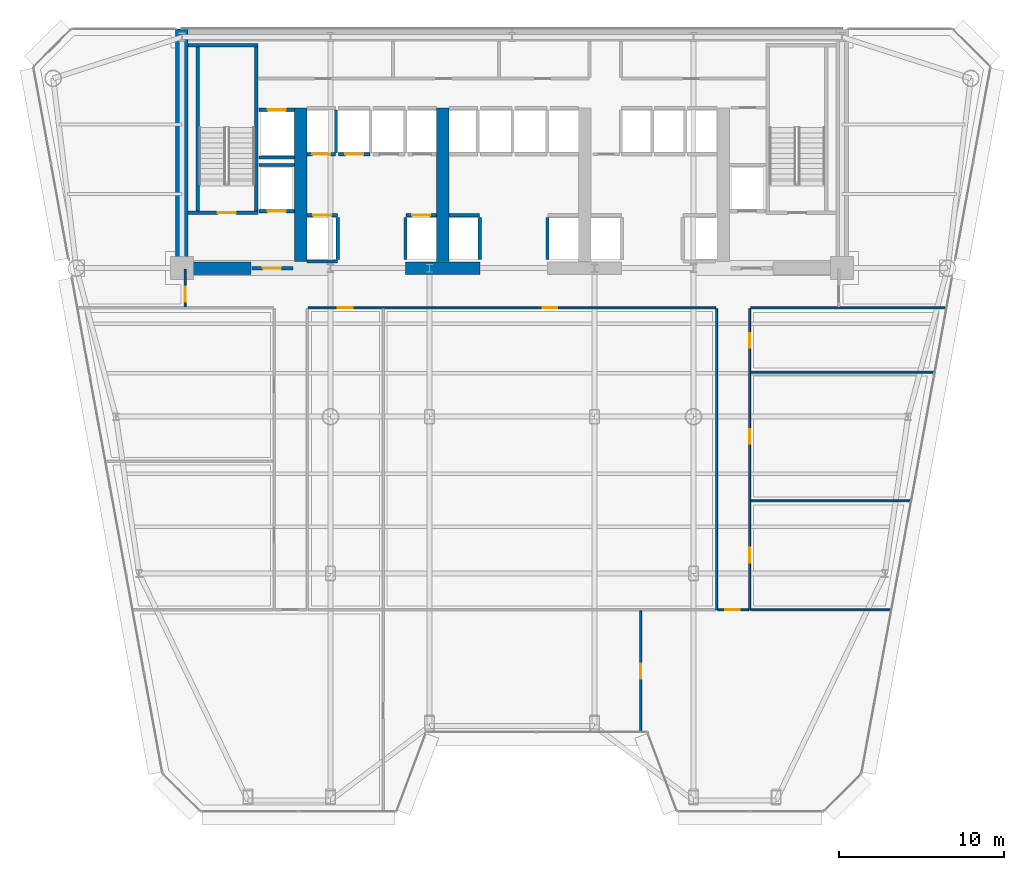
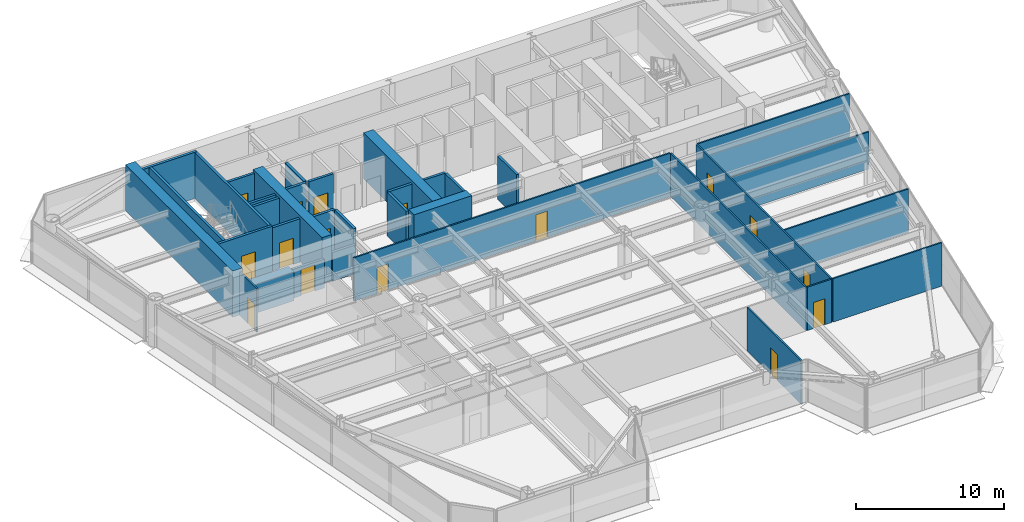
# One storey, part 8 of 14: 35 walls, 16 doors, 16 openings.
"""IFC4 building model written with IfcOpenShell, lengths in metres."""

from ifc_helpers import new_model, si_unit, direction, frame, frame_2d, origin, place, context, subcontext, project, spatial, rectangle, extrude, source, transform, mapped, material, layer, layer_set, type_object, element, fill, save


model = new_model("IFC4")

# Units and contexts
model_context = context("Model", 3, precision=1e-05, world=origin(), true_north=direction((0.0, 1.0)))
body_context = subcontext(model_context, "Body", "Model", "MODEL_VIEW")
ifc_project = project(units=[si_unit("LENGTHUNIT", "METRE"), si_unit("AREAUNIT", "SQUARE_METRE"), si_unit("VOLUMEUNIT", "CUBIC_METRE"), si_unit("PLANEANGLEUNIT", "RADIAN"), si_unit("MASSUNIT", "GRAM", prefix="KILO")], contexts=[model_context])

# Site, building, storey
site_placement = place(None, origin())
site = spatial("IfcSite", under=ifc_project, at=site_placement, CompositionType="ELEMENT")
building_placement = place(site_placement, origin())
building = spatial("IfcBuilding", under=site, at=building_placement, Name="Vaeldorn Concourse Tower", CompositionType="ELEMENT")
storey_placement = place(building_placement, frame((0.0, 0.0, 88.199951171875)))
storey = spatial("IfcBuildingStorey", under=building, at=storey_placement, Name="L22", CompositionType="ELEMENT", Elevation=88.199951171875)

# Walls
ifc_material_1 = material(Name="Concrete C60/75", Category="concrete")
ifc_layer_1 = layer(ifc_material_1, 0.75)
ifc_layer_set_1 = layer_set([ifc_layer_1], Name="Concrete C60/75")
wall_type_1 = type_object("IfcWallType", Name="WL-CORE-750", PredefinedType="SHEAR", material=ifc_layer_set_1)
wall_1_placement = place(storey_placement, frame((14.0, 36.5, 0.0), z_axis=(0.0, 0.0, 1.0), x_axis=(0.0, 1.0, 0.0)))
element("IfcWall", 1, at=wall_1_placement, inside=storey, type_object=wall_type_1, Name="Rear Core Shear Wall L22 W1", PredefinedType="SHEAR", context=body_context, shape_type="SweptSolid", body=[
    extrude(rectangle(XDim=14.5, YDim=0.75, at=frame_2d((7.25, 0.0))), origin(), (0.0, 0.0, 1.0), 3.800048828125),
])
wall_2_placement = place(storey_placement, frame((14.39501953125, 36.5, 0.0), z_axis=(0.0, 0.0, 1.0), x_axis=(1.0, 0.0, 0.0)))
element("IfcWall", 2, at=wall_2_placement, inside=storey, type_object=wall_type_1, Name="Rear Core Shear Wall L22 S1", PredefinedType="SHEAR", context=body_context, shape_type="SweptSolid", body=[
    extrude(rectangle(XDim=3.804931640625, YDim=0.75, at=frame_2d((1.90234375, 0.0))), origin(), (0.0, 0.0, 1.0), 2.380126953125),
])
wall_3_placement = place(storey_placement, frame((27.550048828125, 36.5, 0.0), z_axis=(0.0, 0.0, 1.0), x_axis=(1.0, 0.0, 0.0)))
element("IfcWall", 3, at=wall_3_placement, inside=storey, type_object=wall_type_1, Name="Rear Core Shear Wall L22 S2", PredefinedType="SHEAR", context=body_context, shape_type="SweptSolid", body=[
    extrude(rectangle(XDim=4.5, YDim=0.75, at=frame_2d((2.25, 0.0))), origin(), (0.0, 0.0, 1.0), 3.800048828125),
])
for number, where, z_axis, x_axis, name in (
    (4, (21.199951171875, 36.89501953125, 0.0), (0.0, 0.0, 1.0), (0.0, 1.0, 0.0), "Rear Core Shear Wall L22 M1"),
    (5, (29.800048828125, 36.89501953125, 0.0), (0.0, 0.0, 1.0), (0.0, 1.0, 0.0), "Rear Core Shear Wall L22 M2"),
):
    element("IfcWall", number, at=place(storey_placement, frame(where, z_axis=z_axis, x_axis=x_axis)), inside=storey, type_object=wall_type_1, Name=name, PredefinedType="SHEAR", context=body_context, shape_type="SweptSolid", body=[
        extrude(rectangle(XDim=9.304931640625, YDim=0.75, at=frame_2d((4.65234375, 0.0))), origin(), (0.0, 0.0, 1.0), 3.800048828125),
    ])

# Wall, openings, doors
ifc_material_2 = material(Name="Gypsum Board Partition", Category="gypsum")
ifc_layer_2 = layer(ifc_material_2, 0.1201171875)
ifc_layer_set_2 = layer_set([ifc_layer_2], Name="Gypsum Board Partition")
wall_type_2 = type_object("IfcWallType", Name="WL-PART-120", PredefinedType="PARTITIONING", material=ifc_layer_set_2)
wall_4_placement = place(storey_placement, frame((21.659912109375, 34.10009765625, 0.0), z_axis=(0.0, 0.0, 1.0), x_axis=(1.0, 0.0, 0.0)))
wall_4 = element("IfcWall", 6, at=wall_4_placement, inside=storey, type_object=wall_type_2, Name="Interior Wall PW-L22-CEWS", PredefinedType="PARTITIONING", context=body_context, shape_type="SweptSolid", body=[
    extrude(rectangle(XDim=24.68017578125, YDim=0.1201171875, at=frame_2d((12.340087890625, 0.0))), origin(), (0.0, 0.0, 1.0), 3.580078125),
])
opening_1_placement = place(wall_4_placement, frame((1.7900390625, 0.0, 0.0)))
opening_1 = element("IfcOpeningElement", 7, at=opening_1_placement, cuts=wall_4, Name="Opening D-03", PredefinedType="OPENING", context=body_context, shape_type="SweptSolid", body=[
    extrude(rectangle(XDim=0.89990234375, YDim=2.14990234375, at=frame_2d((0.449951171875, 1.074951171875))), frame((0.0, 0.070068359375, 0.0), z_axis=(0.0, -1.0, 0.0), x_axis=(1.0, 0.0, 0.0)), (0.0, 0.0, 1.0), 0.14013671875),
])
opening_2_placement = place(wall_4_placement, frame((14.18994140625, 0.0, 0.0)))
opening_2 = element("IfcOpeningElement", 8, at=opening_2_placement, cuts=wall_4, Name="Opening D-03", PredefinedType="OPENING", context=body_context, shape_type="SweptSolid", body=[
    extrude(rectangle(XDim=0.89990234375, YDim=2.14990234375, at=frame_2d((0.449951171875, 1.074951171875))), frame((0.0, 0.070068359375, 0.0), z_axis=(0.0, -1.0, 0.0), x_axis=(1.0, 0.0, 0.0)), (0.0, 0.0, 1.0), 0.14013671875),
])
ifc_material_3 = material(Name="Acoustic Bronze-Framed Glass Door", Category="glass")
door_type_1 = type_object("IfcDoorType", Name="DR-INT-900", OperationType="NOTDEFINED", PredefinedType="DOOR", material=ifc_material_3)
shared_shape_1 = source(origin(), body_context, "Body", "SweptSolid", [
    extrude(rectangle(XDim=0.89990234375, YDim=2.14990234375, at=frame_2d((0.449951171875, 1.074951171875))), frame((0.0, 0.02490234375, 0.0), z_axis=(0.0, -1.0, 0.0), x_axis=(1.0, 0.0, 0.0)), (0.0, 0.0, 1.0), 0.050048828125),
])
door_1_placement = place(opening_1_placement, origin())
door_1 = element("IfcDoor", 9, at=door_1_placement, inside=storey, type_object=door_type_1, Name="Interior Door DR-L22-H1", OperationType="SINGLE_SWING_LEFT", OverallHeight=2.14990234375, OverallWidth=0.89990234375, PredefinedType="DOOR", context=body_context, shape_type="MappedRepresentation", body=[
    mapped(shared_shape_1, transform((0.0, 0.0, 0.0), scale=1.0)),
])
fill(opening_1, door_1)
door_2_placement = place(opening_2_placement, origin())
door_2 = element("IfcDoor", 10, at=door_2_placement, inside=storey, type_object=door_type_1, Name="Interior Door DR-L22-H2", OperationType="SINGLE_SWING_RIGHT", OverallHeight=2.14990234375, OverallWidth=0.89990234375, PredefinedType="DOOR", context=body_context, shape_type="MappedRepresentation", body=[
    mapped(shared_shape_1, transform((0.0, 0.0, 0.0), scale=1.0)),
])
fill(opening_2, door_2)

# Wall
wall_5_placement = place(storey_placement, frame((48.4599609375, 34.10009765625, 0.0), z_axis=(0.0, 0.0, 1.0), x_axis=(1.0, 0.0, 0.0)))
element("IfcWall", 11, at=wall_5_placement, inside=storey, type_object=wall_type_2, Name="Interior Wall PW-L22-CEWE", PredefinedType="PARTITIONING", context=body_context, shape_type="SweptSolid", body=[
    extrude(rectangle(XDim=11.832275390625, YDim=0.1201171875, at=frame_2d((5.916015625, 0.0))), origin(), (0.0, 0.0, 1.0), 3.580078125),
])

# Wall, opening, door
wall_6_placement = place(storey_placement, frame((14.199951171875, 34.159912109375, 0.0), z_axis=(0.0, 0.0, 1.0), x_axis=(0.0, 1.0, 0.0)))
wall_6 = element("IfcWall", 12, at=wall_6_placement, inside=storey, type_object=wall_type_2, Name="Interior Wall PW-L22-CWWT", PredefinedType="PARTITIONING", context=body_context, shape_type="SweptSolid", body=[
    extrude(rectangle(XDim=2.280029296875, YDim=0.1201171875, at=frame_2d((1.14013671875, 0.0))), origin(), (0.0, 0.0, 1.0), 3.580078125),
])
opening_3_placement = place(wall_6_placement, frame((0.300048828125, 0.0, 0.0)))
opening_3 = element("IfcOpeningElement", 13, at=opening_3_placement, cuts=wall_6, Name="Opening D-03", PredefinedType="OPENING", context=body_context, shape_type="SweptSolid", body=[
    extrude(rectangle(XDim=0.89990234375, YDim=2.14990234375, at=frame_2d((0.449951171875, 1.074951171875))), frame((0.0, 0.070068359375, 0.0), z_axis=(0.0, -1.0, 0.0), x_axis=(1.0, 0.0, 0.0)), (0.0, 0.0, 1.0), 0.14013671875),
])
door_3_placement = place(opening_3_placement, origin())
door_3 = element("IfcDoor", 14, at=door_3_placement, inside=storey, type_object=door_type_1, Name="Interior Door DR-L22-NW1", OperationType="SINGLE_SWING_LEFT", OverallHeight=2.14990234375, OverallWidth=0.89990234375, PredefinedType="DOOR", context=body_context, shape_type="MappedRepresentation", body=[
    mapped(shared_shape_1, transform((0.0, 0.0, 0.0), scale=1.0)),
])
fill(opening_3, door_3)

# Wall
wall_7_placement = place(storey_placement, frame((46.39990234375, 15.800048828125, 0.0), z_axis=(0.0, 0.0, 1.0), x_axis=(0.0, 1.0, 0.0)))
element("IfcWall", 15, at=wall_7_placement, inside=storey, type_object=wall_type_2, Name="Interior Wall PW-L22-CEW", PredefinedType="PARTITIONING", context=body_context, shape_type="SweptSolid", body=[
    extrude(rectangle(XDim=18.239990234375, YDim=0.1201171875, at=frame_2d((9.1201171875, 0.0))), origin(), (0.0, 0.0, 1.0), 3.580078125),
])

# Wall, openings, doors
wall_8_placement = place(storey_placement, frame((48.39990234375, 15.800048828125, 0.0), z_axis=(0.0, 0.0, 1.0), x_axis=(0.0, 1.0, 0.0)))
wall_8 = element("IfcWall", 16, at=wall_8_placement, inside=storey, type_object=wall_type_2, Name="Interior Wall PW-L22-CEE", PredefinedType="PARTITIONING", context=body_context, shape_type="SweptSolid", body=[
    extrude(rectangle(XDim=18.239990234375, YDim=0.1201171875, at=frame_2d((9.1201171875, 0.0))), origin(), (0.0, 0.0, 1.0), 3.580078125),
])
opening_4_placement = place(wall_8_placement, frame((2.85009765625, 0.0, 0.0)))
opening_4 = element("IfcOpeningElement", 17, at=opening_4_placement, cuts=wall_8, Name="Opening D-03", PredefinedType="OPENING", context=body_context, shape_type="SweptSolid", body=[
    extrude(rectangle(XDim=0.89990234375, YDim=2.14990234375, at=frame_2d((0.449951171875, 1.074951171875))), frame((0.0, 0.070068359375, 0.0), z_axis=(0.0, -1.0, 0.0), x_axis=(1.0, 0.0, 0.0)), (0.0, 0.0, 1.0), 0.14013671875),
])
opening_5_placement = place(wall_8_placement, frame((10.050048828125, 0.0, 0.0)))
opening_5 = element("IfcOpeningElement", 18, at=opening_5_placement, cuts=wall_8, Name="Opening D-03", PredefinedType="OPENING", context=body_context, shape_type="SweptSolid", body=[
    extrude(rectangle(XDim=0.89990234375, YDim=2.14990234375, at=frame_2d((0.449951171875, 1.074951171875))), frame((0.0, 0.070068359375, 0.0), z_axis=(0.0, -1.0, 0.0), x_axis=(1.0, 0.0, 0.0)), (0.0, 0.0, 1.0), 0.14013671875),
])
opening_6_placement = place(wall_8_placement, frame((15.8701171875, 0.0, 0.0)))
opening_6 = element("IfcOpeningElement", 19, at=opening_6_placement, cuts=wall_8, Name="Opening D-03", PredefinedType="OPENING", context=body_context, shape_type="SweptSolid", body=[
    extrude(rectangle(XDim=0.89990234375, YDim=2.14990234375, at=frame_2d((0.449951171875, 1.074951171875))), frame((0.0, 0.070068359375, 0.0), z_axis=(0.0, -1.0, 0.0), x_axis=(1.0, 0.0, 0.0)), (0.0, 0.0, 1.0), 0.14013671875),
])
door_4_placement = place(opening_4_placement, origin())
door_4 = element("IfcDoor", 20, at=door_4_placement, inside=storey, type_object=door_type_1, Name="Interior Door DR-L22-E1", OperationType="SINGLE_SWING_RIGHT", OverallHeight=2.14990234375, OverallWidth=0.89990234375, PredefinedType="DOOR", context=body_context, shape_type="MappedRepresentation", body=[
    mapped(shared_shape_1, transform((0.0, 0.0, 0.0), scale=1.0)),
])
fill(opening_4, door_4)
door_5_placement = place(opening_5_placement, origin())
door_5 = element("IfcDoor", 21, at=door_5_placement, inside=storey, type_object=door_type_1, Name="Interior Door DR-L22-E2", OperationType="SINGLE_SWING_LEFT", OverallHeight=2.14990234375, OverallWidth=0.89990234375, PredefinedType="DOOR", context=body_context, shape_type="MappedRepresentation", body=[
    mapped(shared_shape_1, transform((0.0, 0.0, 0.0), scale=1.0)),
])
fill(opening_5, door_5)
door_6_placement = place(opening_6_placement, origin())
door_6 = element("IfcDoor", 22, at=door_6_placement, inside=storey, type_object=door_type_1, Name="Interior Door DR-L22-E3", OperationType="SINGLE_SWING_RIGHT", OverallHeight=2.14990234375, OverallWidth=0.89990234375, PredefinedType="DOOR", context=body_context, shape_type="MappedRepresentation", body=[
    mapped(shared_shape_1, transform((0.0, 0.0, 0.0), scale=1.0)),
])
fill(opening_6, door_6)

# Wall, opening, door
wall_9_placement = place(storey_placement, frame((46.4599609375, 15.800048828125, 0.0), z_axis=(0.0, 0.0, 1.0), x_axis=(1.0, 0.0, 0.0)))
wall_9 = element("IfcWall", 23, at=wall_9_placement, inside=storey, type_object=wall_type_2, Name="Interior Wall PW-L22-CES", PredefinedType="PARTITIONING", context=body_context, shape_type="SweptSolid", body=[
    extrude(rectangle(XDim=1.880126953125, YDim=0.1201171875, at=frame_2d((0.93994140625, 0.0))), origin(), (0.0, 0.0, 1.0), 3.580078125),
])
opening_7_placement = place(wall_9_placement, frame((0.449951171875, 0.0, 0.0)))
opening_7 = element("IfcOpeningElement", 24, at=opening_7_placement, cuts=wall_9, Name="Opening D-03", PredefinedType="OPENING", context=body_context, shape_type="SweptSolid", body=[
    extrude(rectangle(XDim=0.89990234375, YDim=2.14990234375, at=frame_2d((0.449951171875, 1.074951171875))), frame((0.0, 0.070068359375, 0.0), z_axis=(0.0, -1.0, 0.0), x_axis=(1.0, 0.0, 0.0)), (0.0, 0.0, 1.0), 0.14013671875),
])
door_7_placement = place(opening_7_placement, origin())
door_7 = element("IfcDoor", 25, at=door_7_placement, inside=storey, type_object=door_type_1, Name="Interior Door DR-L22-SEL", OperationType="SINGLE_SWING_RIGHT", OverallHeight=2.14990234375, OverallWidth=0.89990234375, PredefinedType="DOOR", context=body_context, shape_type="MappedRepresentation", body=[
    mapped(shared_shape_1, transform((0.0, 0.0, 0.0), scale=1.0)),
])
fill(opening_7, door_7)

# Walls
wall_10_placement = place(storey_placement, frame((48.4599609375, 15.800048828125, 0.0), z_axis=(0.0, 0.0, 1.0), x_axis=(1.0, 0.0, 0.0)))
element("IfcWall", 26, at=wall_10_placement, inside=storey, type_object=wall_type_2, Name="Interior Wall PW-L22-EY0", PredefinedType="PARTITIONING", context=body_context, shape_type="SweptSolid", body=[
    extrude(rectangle(XDim=8.48828125, YDim=0.1201171875, at=frame_2d((4.244140625, 0.0))), origin(), (0.0, 0.0, 1.0), 3.580078125),
])
wall_11_placement = place(storey_placement, frame((48.4599609375, 22.39990234375, 0.0), z_axis=(0.0, 0.0, 1.0), x_axis=(1.0, 0.0, 0.0)))
element("IfcWall", 27, at=wall_11_placement, inside=storey, type_object=wall_type_2, Name="Interior Wall PW-L22-EY1", PredefinedType="PARTITIONING", context=body_context, shape_type="SweptSolid", body=[
    extrude(rectangle(XDim=9.6943359375, YDim=0.1201171875, at=frame_2d((4.84716796875, 0.0))), origin(), (0.0, 0.0, 1.0), 3.580078125),
])
wall_12_placement = place(storey_placement, frame((48.4599609375, 30.199951171875, 0.0), z_axis=(0.0, 0.0, 1.0), x_axis=(1.0, 0.0, 0.0)))
element("IfcWall", 28, at=wall_12_placement, inside=storey, type_object=wall_type_2, Name="Interior Wall PW-L22-EY2", PredefinedType="PARTITIONING", context=body_context, shape_type="SweptSolid", body=[
    extrude(rectangle(XDim=11.11962890625, YDim=0.1201171875, at=frame_2d((5.559814453125, 0.0))), origin(), (0.0, 0.0, 1.0), 3.070068359375),
])

# Wall, opening, door
wall_13_placement = place(storey_placement, frame((41.800048828125, 8.426025390625, 0.0), z_axis=(0.0, 0.0, 1.0), x_axis=(0.0, 1.0, 0.0)))
wall_13 = element("IfcWall", 29, at=wall_13_placement, inside=storey, type_object=wall_type_2, Name="Interior Wall PW-L22-SMID2", PredefinedType="PARTITIONING", context=body_context, shape_type="SweptSolid", body=[
    extrude(rectangle(XDim=7.31396484375, YDim=0.1201171875, at=frame_2d((3.656982421875, 0.0))), origin(), (0.0, 0.0, 1.0), 3.580078125),
])
opening_8_placement = place(wall_13_placement, frame((3.20703125, 0.0, 0.0)))
opening_8 = element("IfcOpeningElement", 30, at=opening_8_placement, cuts=wall_13, Name="Opening D-03", PredefinedType="OPENING", context=body_context, shape_type="SweptSolid", body=[
    extrude(rectangle(XDim=0.89990234375, YDim=2.14990234375, at=frame_2d((0.449951171875, 1.074951171875))), frame((0.0, 0.070068359375, 0.0), z_axis=(0.0, -1.0, 0.0), x_axis=(1.0, 0.0, 0.0)), (0.0, 0.0, 1.0), 0.14013671875),
])
door_8_placement = place(opening_8_placement, origin())
door_8 = element("IfcDoor", 31, at=door_8_placement, inside=storey, type_object=door_type_1, Name="Interior Door DR-L22-SMID2", OperationType="SINGLE_SWING_LEFT", OverallHeight=2.14990234375, OverallWidth=0.89990234375, PredefinedType="DOOR", context=body_context, shape_type="MappedRepresentation", body=[
    mapped(shared_shape_1, transform((0.0, 0.0, 0.0), scale=1.0)),
])
fill(opening_8, door_8)

ifc_material_4 = material(Name="Concrete C50/60", Category="concrete")
ifc_layer_3 = layer(ifc_material_4, 0.199951171875)
ifc_layer_set_3 = layer_set([ifc_layer_3], Name="Concrete C50/60")
wall_type_3 = type_object("IfcWallType", Name="WL-SHAFT-200", PredefinedType="SOLIDWALL", material=ifc_layer_set_3)
wall_14_placement = place(storey_placement, frame((14.375, 39.85009765625, 0.0), z_axis=(0.0, 0.0, 1.0), x_axis=(1.0, 0.0, 0.0)))
wall_14 = element("IfcWall", 32, at=wall_14_placement, inside=storey, type_object=wall_type_3, Name="Stair Shaft Wall CW-L22-ST-1-S", PredefinedType="SOLIDWALL", context=body_context, shape_type="SweptSolid", body=[
    extrude(rectangle(XDim=4.22509765625, YDim=0.199951171875, at=frame_2d((2.112548828125, 0.0))), origin(), (0.0, 0.0, 1.0), 3.800048828125),
])
opening_9_placement = place(wall_14_placement, frame((1.800048828125, 0.0, 0.0)))
opening_9 = element("IfcOpeningElement", 33, at=opening_9_placement, cuts=wall_14, Name="Opening D-01", PredefinedType="OPENING", context=body_context, shape_type="SweptSolid", body=[
    extrude(rectangle(XDim=1.10009765625, YDim=2.14990234375, at=frame_2d((0.550048828125, 1.074951171875))), frame((0.0, 0.10986328125, 0.0), z_axis=(0.0, -1.0, 0.0), x_axis=(1.0, 0.0, 0.0)), (0.0, 0.0, 1.0), 0.219970703125),
])
ifc_material_5 = material(Name="Fire-Rated Timber and Steel Leaf", Category="steel")
door_type_2 = type_object("IfcDoorType", Name="DR-FD60-1100", OperationType="NOTDEFINED", PredefinedType="DOOR", material=ifc_material_5)
shared_shape_2 = source(origin(), body_context, "Body", "SweptSolid", [
    extrude(rectangle(XDim=1.10009765625, YDim=2.14990234375, at=frame_2d((0.550048828125, 1.074951171875))), frame((0.0, 0.02490234375, 0.0), z_axis=(0.0, -1.0, 0.0), x_axis=(1.0, 0.0, 0.0)), (0.0, 0.0, 1.0), 0.050048828125),
])
door_9_placement = place(opening_9_placement, origin())
door_9 = element("IfcDoor", 34, at=door_9_placement, inside=storey, type_object=door_type_2, Name="Interior Door DR-L22-ST-1", OperationType="SINGLE_SWING_LEFT", OverallHeight=2.14990234375, OverallWidth=1.10009765625, PredefinedType="DOOR", context=body_context, shape_type="MappedRepresentation", body=[
    mapped(shared_shape_2, transform((0.0, 0.0, 0.0), scale=1.0)),
])
fill(opening_9, door_9)

# Walls
wall_15_placement = place(storey_placement, frame((14.375, 50.0, 0.0), z_axis=(0.0, 0.0, 1.0), x_axis=(1.0, 0.0, 0.0)))
element("IfcWall", 35, at=wall_15_placement, inside=storey, type_object=wall_type_3, Name="Stair Shaft Wall CW-L22-ST-1-N", PredefinedType="SOLIDWALL", context=body_context, shape_type="SweptSolid", body=[
    extrude(rectangle(XDim=4.22509765625, YDim=0.199951171875, at=frame_2d((2.112548828125, 0.0))), origin(), (0.0, 0.0, 1.0), 3.800048828125),
])
for number, where, z_axis, x_axis, name in (
    (36, (14.949951171875, 39.9599609375, 0.0), (0.0, 0.0, 1.0), (0.0, 1.0, 0.0), "Stair Shaft Wall CW-L22-ST-1-W"),
    (37, (18.5, 39.9599609375, 0.0), (0.0, 0.0, 1.0), (0.0, 1.0, 0.0), "Stair Shaft Wall CW-L22-ST-1-E"),
):
    element("IfcWall", number, at=place(storey_placement, frame(where, z_axis=z_axis, x_axis=x_axis)), inside=storey, type_object=wall_type_3, Name=name, PredefinedType="SOLIDWALL", context=body_context, shape_type="SweptSolid", body=[
        extrude(rectangle(XDim=9.929931640625, YDim=0.199951171875, at=frame_2d((4.96484375, 0.0))), origin(), (0.0, 0.0, 1.0), 3.800048828125),
    ])

# Wall, opening, door
wall_16_placement = place(storey_placement, frame((18.25, 36.5, 0.0), z_axis=(0.0, 0.0, 1.0), x_axis=(1.0, 0.0, 0.0)))
wall_16 = element("IfcWall", 38, at=wall_16_placement, inside=storey, type_object=wall_type_3, Name="Interior Wall CW-L22-FF1S", PredefinedType="SOLIDWALL", context=body_context, shape_type="SweptSolid", body=[
    extrude(rectangle(XDim=2.469970703125, YDim=0.199951171875, at=frame_2d((1.23486328125, 0.0))), origin(), (0.0, 0.0, 1.0), 2.3701171875),
])
opening_10_placement = place(wall_16_placement, frame((0.64990234375, 0.0, 0.0)))
opening_10 = element("IfcOpeningElement", 39, at=opening_10_placement, cuts=wall_16, Name="Opening D-01", PredefinedType="OPENING", context=body_context, shape_type="SweptSolid", body=[
    extrude(rectangle(XDim=1.10009765625, YDim=2.14990234375, at=frame_2d((0.550048828125, 1.074951171875))), frame((0.0, 0.10986328125, 0.0), z_axis=(0.0, -1.0, 0.0), x_axis=(1.0, 0.0, 0.0)), (0.0, 0.0, 1.0), 0.219970703125),
])
door_10_placement = place(opening_10_placement, origin())
door_10 = element("IfcDoor", 40, at=door_10_placement, inside=storey, type_object=door_type_2, Name="Interior Door DR-L22-FF1E", OperationType="SINGLE_SWING_RIGHT", OverallHeight=2.14990234375, OverallWidth=1.10009765625, PredefinedType="DOOR", context=body_context, shape_type="MappedRepresentation", body=[
    mapped(shared_shape_2, transform((0.0, 0.0, 0.0), scale=1.0)),
])
fill(opening_10, door_10)

wall_17_placement = place(storey_placement, frame((21.5849609375, 39.699951171875, 0.0), z_axis=(0.0, 0.0, 1.0), x_axis=(1.0, 0.0, 0.0)))
wall_17 = element("IfcWall", 41, at=wall_17_placement, inside=storey, type_object=wall_type_3, Name="Interior Wall CW-L22-LF-LF-01", PredefinedType="SOLIDWALL", context=body_context, shape_type="SweptSolid", body=[
    extrude(rectangle(XDim=1.844970703125, YDim=0.199951171875, at=frame_2d((0.92236328125, 0.0))), origin(), (0.0, 0.0, 1.0), 3.580078125),
])
opening_11_placement = place(wall_17_placement, frame((0.3720703125, 0.0, 0.0)))
opening_11 = element("IfcOpeningElement", 42, at=opening_11_placement, cuts=wall_17, Name="Opening LD-1", PredefinedType="OPENING", context=body_context, shape_type="SweptSolid", body=[
    extrude(rectangle(XDim=1.10009765625, YDim=2.14990234375, at=frame_2d((0.550048828125, 1.074951171875))), frame((0.0, 0.10986328125, 0.0), z_axis=(0.0, -1.0, 0.0), x_axis=(1.0, 0.0, 0.0)), (0.0, 0.0, 1.0), 0.219970703125),
])
ifc_material_6 = material(Name="Anodised Bronze Aluminium", Category="aluminium")
door_type_3 = type_object("IfcDoorType", Name="DR-LIFT-SLIDE-1100", OperationType="DOUBLE_DOOR_SLIDING", PredefinedType="DOOR", material=ifc_material_6)
door_11_placement = place(opening_11_placement, origin())
door_11 = element("IfcDoor", 43, at=door_11_placement, inside=storey, type_object=door_type_3, Name="Lift Landing Door LD-L22-LF-01", OperationType="DOUBLE_DOOR_SLIDING", OverallHeight=2.14990234375, OverallWidth=1.10009765625, PredefinedType="DOOR", context=body_context, shape_type="MappedRepresentation", body=[
    mapped(shared_shape_2, transform((0.0, 0.0, 0.0), scale=1.0)),
])
fill(opening_11, door_11)

# Walls
wall_18_placement = place(storey_placement, frame((21.5849609375, 36.89990234375, 0.0), z_axis=(0.0, 0.0, 1.0), x_axis=(1.0, 0.0, 0.0)))
element("IfcWall", 44, at=wall_18_placement, inside=storey, type_object=wall_type_3, Name="Interior Wall CW-L22-LFB-LF-01", PredefinedType="SOLIDWALL", context=body_context, shape_type="SweptSolid", body=[
    extrude(rectangle(XDim=1.844970703125, YDim=0.199951171875, at=frame_2d((0.92236328125, 0.0))), origin(), (0.0, 0.0, 1.0), 2.3701171875),
])
wall_19_placement = place(storey_placement, frame((23.449951171875, 37.02001953125, 0.0), z_axis=(0.0, 0.0, 1.0), x_axis=(0.0, 1.0, 0.0)))
element("IfcWall", 45, at=wall_19_placement, inside=storey, type_object=wall_type_3, Name="Interior Wall CW-L22-LFE-LF-01", PredefinedType="SOLIDWALL", context=body_context, shape_type="SweptSolid", body=[
    extrude(rectangle(XDim=2.56005859375, YDim=0.199951171875, at=frame_2d((1.280029296875, 0.0))), origin(), (0.0, 0.0, 1.0), 3.580078125),
])

# Wall, opening, door
wall_20_placement = place(storey_placement, frame((27.570068359375, 39.699951171875, 0.0), z_axis=(0.0, 0.0, 1.0), x_axis=(1.0, 0.0, 0.0)))
wall_20 = element("IfcWall", 46, at=wall_20_placement, inside=storey, type_object=wall_type_3, Name="Interior Wall CW-L22-LF-LF-02", PredefinedType="SOLIDWALL", context=body_context, shape_type="SweptSolid", body=[
    extrude(rectangle(XDim=1.844970703125, YDim=0.199951171875, at=frame_2d((0.92236328125, 0.0))), origin(), (0.0, 0.0, 1.0), 3.580078125),
])
opening_12_placement = place(wall_20_placement, frame((0.3720703125, 0.0, 0.0)))
opening_12 = element("IfcOpeningElement", 47, at=opening_12_placement, cuts=wall_20, Name="Opening LD-1", PredefinedType="OPENING", context=body_context, shape_type="SweptSolid", body=[
    extrude(rectangle(XDim=1.10009765625, YDim=2.14990234375, at=frame_2d((0.550048828125, 1.074951171875))), frame((0.0, 0.10986328125, 0.0), z_axis=(0.0, -1.0, 0.0), x_axis=(1.0, 0.0, 0.0)), (0.0, 0.0, 1.0), 0.219970703125),
])
door_12_placement = place(opening_12_placement, origin())
door_12 = element("IfcDoor", 48, at=door_12_placement, inside=storey, type_object=door_type_3, Name="Lift Landing Door LD-L22-LF-02", OperationType="DOUBLE_DOOR_SLIDING", OverallHeight=2.14990234375, OverallWidth=1.10009765625, PredefinedType="DOOR", context=body_context, shape_type="MappedRepresentation", body=[
    mapped(shared_shape_2, transform((0.0, 0.0, 0.0), scale=1.0)),
])
fill(opening_12, door_12)

# Wall
wall_21_placement = place(storey_placement, frame((27.550048828125, 37.02001953125, 0.0), z_axis=(0.0, 0.0, 1.0), x_axis=(0.0, 1.0, 0.0)))
element("IfcWall", 49, at=wall_21_placement, inside=storey, type_object=wall_type_3, Name="Interior Wall CW-L22-LFW-LF-02", PredefinedType="SOLIDWALL", context=body_context, shape_type="SweptSolid", body=[
    extrude(rectangle(XDim=2.56005859375, YDim=0.199951171875, at=frame_2d((1.280029296875, 0.0))), origin(), (0.0, 0.0, 1.0), 3.580078125),
])

# Wall, opening, door
wall_22_placement = place(storey_placement, frame((21.5849609375, 43.39990234375, 0.0), z_axis=(0.0, 0.0, 1.0), x_axis=(1.0, 0.0, 0.0)))
wall_22 = element("IfcWall", 50, at=wall_22_placement, inside=storey, type_object=wall_type_3, Name="Interior Wall CW-L22-LF-LF-03", PredefinedType="SOLIDWALL", context=body_context, shape_type="SweptSolid", body=[
    extrude(rectangle(XDim=1.72509765625, YDim=0.199951171875, at=frame_2d((0.862548828125, 0.0))), origin(), (0.0, 0.0, 1.0), 3.580078125),
])
opening_13_placement = place(wall_22_placement, frame((0.31201171875, 0.0, 0.0)))
opening_13 = element("IfcOpeningElement", 51, at=opening_13_placement, cuts=wall_22, Name="Opening LD-1", PredefinedType="OPENING", context=body_context, shape_type="SweptSolid", body=[
    extrude(rectangle(XDim=1.10009765625, YDim=2.14990234375, at=frame_2d((0.550048828125, 1.074951171875))), frame((0.0, 0.10986328125, 0.0), z_axis=(0.0, -1.0, 0.0), x_axis=(1.0, 0.0, 0.0)), (0.0, 0.0, 1.0), 0.219970703125),
])
door_13_placement = place(opening_13_placement, origin())
door_13 = element("IfcDoor", 52, at=door_13_placement, inside=storey, type_object=door_type_3, Name="Lift Landing Door LD-L22-LF-03", OperationType="DOUBLE_DOOR_SLIDING", OverallHeight=2.14990234375, OverallWidth=1.10009765625, PredefinedType="DOOR", context=body_context, shape_type="MappedRepresentation", body=[
    mapped(shared_shape_2, transform((0.0, 0.0, 0.0), scale=1.0)),
])
fill(opening_13, door_13)

# Wall
wall_23_placement = place(storey_placement, frame((23.330078125, 43.52001953125, 0.0), z_axis=(0.0, 0.0, 1.0), x_axis=(0.0, 1.0, 0.0)))
element("IfcWall", 53, at=wall_23_placement, inside=storey, type_object=wall_type_3, Name="Interior Wall CW-L22-LFE-LF-03", PredefinedType="SOLIDWALL", context=body_context, shape_type="SweptSolid", body=[
    extrude(rectangle(XDim=2.56005859375, YDim=0.199951171875, at=frame_2d((1.280029296875, 0.0))), origin(), (0.0, 0.0, 1.0), 3.580078125),
])

# Wall, opening, door
wall_24_placement = place(storey_placement, frame((23.489990234375, 43.39990234375, 0.0), z_axis=(0.0, 0.0, 1.0), x_axis=(1.0, 0.0, 0.0)))
wall_24 = element("IfcWall", 54, at=wall_24_placement, inside=storey, type_object=wall_type_3, Name="Interior Wall CW-L22-LF-LF-04", PredefinedType="SOLIDWALL", context=body_context, shape_type="SweptSolid", body=[
    extrude(rectangle(XDim=1.919921875, YDim=0.199951171875, at=frame_2d((0.9599609375, 0.0))), origin(), (0.0, 0.0, 1.0), 3.580078125),
])
opening_14_placement = place(wall_24_placement, frame((0.409912109375, 0.0, 0.0)))
opening_14 = element("IfcOpeningElement", 55, at=opening_14_placement, cuts=wall_24, Name="Opening LD-1", PredefinedType="OPENING", context=body_context, shape_type="SweptSolid", body=[
    extrude(rectangle(XDim=1.10009765625, YDim=2.14990234375, at=frame_2d((0.550048828125, 1.074951171875))), frame((0.0, 0.10986328125, 0.0), z_axis=(0.0, -1.0, 0.0), x_axis=(1.0, 0.0, 0.0)), (0.0, 0.0, 1.0), 0.219970703125),
])
door_14_placement = place(opening_14_placement, origin())
door_14 = element("IfcDoor", 56, at=door_14_placement, inside=storey, type_object=door_type_3, Name="Lift Landing Door LD-L22-LF-04", OperationType="DOUBLE_DOOR_SLIDING", OverallHeight=2.14990234375, OverallWidth=1.10009765625, PredefinedType="DOOR", context=body_context, shape_type="MappedRepresentation", body=[
    mapped(shared_shape_2, transform((0.0, 0.0, 0.0), scale=1.0)),
])
fill(opening_14, door_14)

# Walls
wall_25_placement = place(storey_placement, frame((30.18505859375, 39.699951171875, 0.0), z_axis=(0.0, 0.0, 1.0), x_axis=(1.0, 0.0, 0.0)))
element("IfcWall", 57, at=wall_25_placement, inside=storey, type_object=wall_type_3, Name="Interior Wall CW-L22-LF-LF-07", PredefinedType="SOLIDWALL", context=body_context, shape_type="SweptSolid", body=[
    extrude(rectangle(XDim=1.844970703125, YDim=0.199951171875, at=frame_2d((0.92236328125, 0.0))), origin(), (0.0, 0.0, 1.0), 3.580078125),
])
for number, where, z_axis, x_axis, name in (
    (58, (32.050048828125, 37.02001953125, 0.0), (0.0, 0.0, 1.0), (0.0, 1.0, 0.0), "Interior Wall CW-L22-LFE-LF-07"),
    (59, (36.14990234375, 37.02001953125, 0.0), (0.0, 0.0, 1.0), (0.0, 1.0, 0.0), "Interior Wall CW-L22-LFW-LF-08"),
):
    element("IfcWall", number, at=place(storey_placement, frame(where, z_axis=z_axis, x_axis=x_axis)), inside=storey, type_object=wall_type_3, Name=name, PredefinedType="SOLIDWALL", context=body_context, shape_type="SweptSolid", body=[
        extrude(rectangle(XDim=2.56005859375, YDim=0.199951171875, at=frame_2d((1.280029296875, 0.0))), origin(), (0.0, 0.0, 1.0), 3.580078125),
    ])

# Wall, opening, door
wall_26_placement = place(storey_placement, frame((18.669921875, 46.10009765625, 0.0), z_axis=(0.0, 0.0, 1.0), x_axis=(1.0, 0.0, 0.0)))
wall_26 = element("IfcWall", 60, at=wall_26_placement, inside=storey, type_object=wall_type_3, Name="Interior Wall CW-L22-LF-LF-SV1", PredefinedType="SOLIDWALL", context=body_context, shape_type="SweptSolid", body=[
    extrude(rectangle(XDim=2.14501953125, YDim=0.199951171875, at=frame_2d((1.072509765625, 0.0))), origin(), (0.0, 0.0, 1.0), 3.580078125),
])
opening_15_placement = place(wall_26_placement, frame((0.52197265625, 0.0, 0.0)))
opening_15 = element("IfcOpeningElement", 61, at=opening_15_placement, cuts=wall_26, Name="Opening LD-1", PredefinedType="OPENING", context=body_context, shape_type="SweptSolid", body=[
    extrude(rectangle(XDim=1.10009765625, YDim=2.14990234375, at=frame_2d((0.550048828125, 1.074951171875))), frame((0.0, 0.10986328125, 0.0), z_axis=(0.0, -1.0, 0.0), x_axis=(1.0, 0.0, 0.0)), (0.0, 0.0, 1.0), 0.219970703125),
])
door_15_placement = place(opening_15_placement, origin())
door_15 = element("IfcDoor", 62, at=door_15_placement, inside=storey, type_object=door_type_3, Name="Lift Landing Door LD-L22-LF-SV1", OperationType="DOUBLE_DOOR_SLIDING", OverallHeight=2.14990234375, OverallWidth=1.10009765625, PredefinedType="DOOR", context=body_context, shape_type="MappedRepresentation", body=[
    mapped(shared_shape_2, transform((0.0, 0.0, 0.0), scale=1.0)),
])
fill(opening_15, door_15)

# Wall
wall_27_placement = place(storey_placement, frame((18.669921875, 43.199951171875, 0.0), z_axis=(0.0, 0.0, 1.0), x_axis=(1.0, 0.0, 0.0)))
element("IfcWall", 63, at=wall_27_placement, inside=storey, type_object=wall_type_3, Name="Interior Wall CW-L22-LFB-LF-SV1", PredefinedType="SOLIDWALL", context=body_context, shape_type="SweptSolid", body=[
    extrude(rectangle(XDim=2.14501953125, YDim=0.199951171875, at=frame_2d((1.072509765625, 0.0))), origin(), (0.0, 0.0, 1.0), 3.580078125),
])

# Wall, opening, door
wall_28_placement = place(storey_placement, frame((18.669921875, 39.949951171875, 0.0), z_axis=(0.0, 0.0, 1.0), x_axis=(1.0, 0.0, 0.0)))
wall_28 = element("IfcWall", 64, at=wall_28_placement, inside=storey, type_object=wall_type_3, Name="Interior Wall CW-L22-LF-LF-FF1", PredefinedType="SOLIDWALL", context=body_context, shape_type="SweptSolid", body=[
    extrude(rectangle(XDim=2.14501953125, YDim=0.199951171875, at=frame_2d((1.072509765625, 0.0))), origin(), (0.0, 0.0, 1.0), 3.580078125),
])
opening_16_placement = place(wall_28_placement, frame((0.52197265625, 0.0, 0.0)))
opening_16 = element("IfcOpeningElement", 65, at=opening_16_placement, cuts=wall_28, Name="Opening LD-1", PredefinedType="OPENING", context=body_context, shape_type="SweptSolid", body=[
    extrude(rectangle(XDim=1.10009765625, YDim=2.14990234375, at=frame_2d((0.550048828125, 1.074951171875))), frame((0.0, 0.10986328125, 0.0), z_axis=(0.0, -1.0, 0.0), x_axis=(1.0, 0.0, 0.0)), (0.0, 0.0, 1.0), 0.219970703125),
])
door_16_placement = place(opening_16_placement, origin())
door_16 = element("IfcDoor", 66, at=door_16_placement, inside=storey, type_object=door_type_3, Name="Lift Landing Door LD-L22-LF-FF1", OperationType="DOUBLE_DOOR_SLIDING", OverallHeight=2.14990234375, OverallWidth=1.10009765625, PredefinedType="DOOR", context=body_context, shape_type="MappedRepresentation", body=[
    mapped(shared_shape_2, transform((0.0, 0.0, 0.0), scale=1.0)),
])
fill(opening_16, door_16)

# Wall
wall_29_placement = place(storey_placement, frame((18.669921875, 42.75, 0.0), z_axis=(0.0, 0.0, 1.0), x_axis=(1.0, 0.0, 0.0)))
element("IfcWall", 67, at=wall_29_placement, inside=storey, type_object=wall_type_3, Name="Interior Wall CW-L22-LFB-LF-FF1", PredefinedType="SOLIDWALL", context=body_context, shape_type="SweptSolid", body=[
    extrude(rectangle(XDim=2.14501953125, YDim=0.199951171875, at=frame_2d((1.072509765625, 0.0))), origin(), (0.0, 0.0, 1.0), 3.580078125),
])

save(model, "model.ifc")
